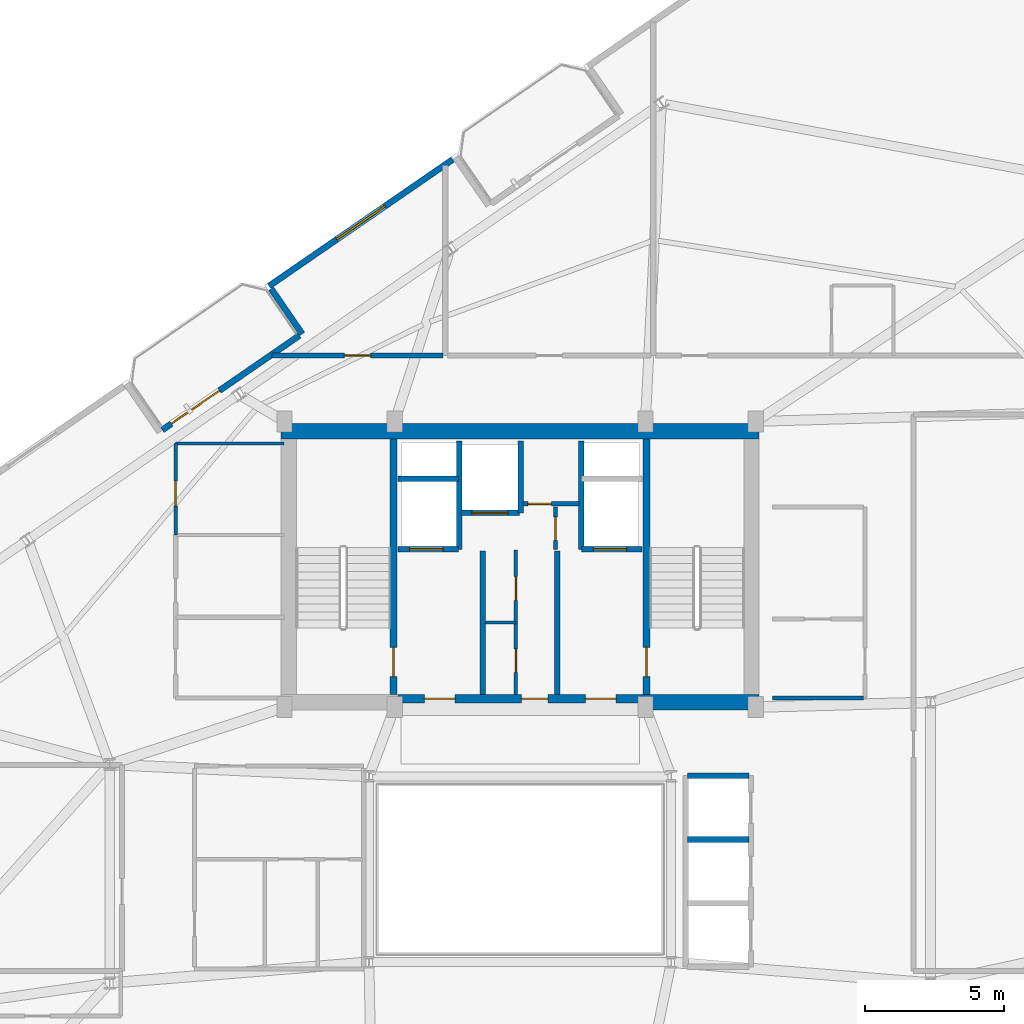
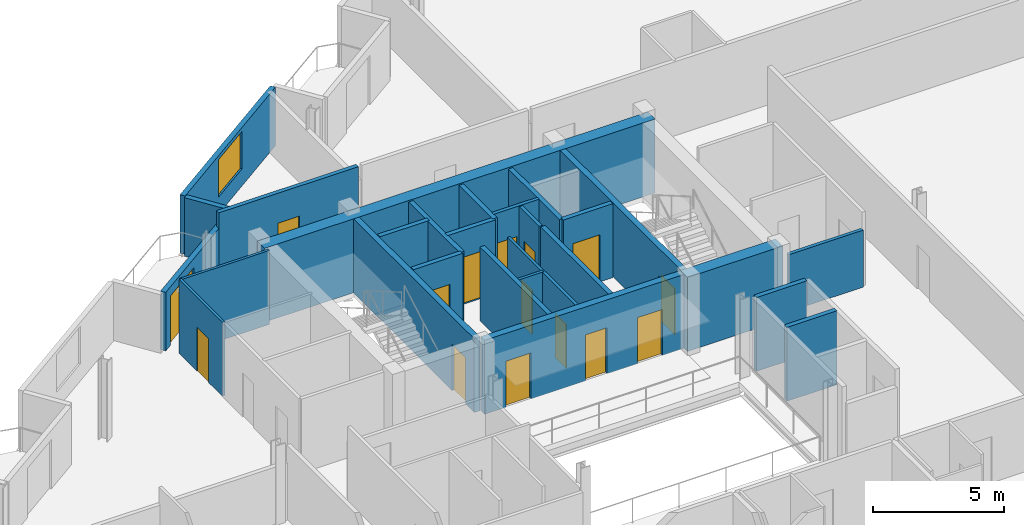
# One storey, part 18 of 23: 27 walls, 15 doors, 1 window, 16 openings.
"""IFC4 building model written with IfcOpenShell, lengths in metres."""

from ifc_helpers import new_model, si_unit, direction, frame, frame_2d, origin, place, context, subcontext, project, spatial, rectangle, extrude, material, layer, layer_set, type_object, element, fill, save


model = new_model("IFC4")

# Units and contexts
model_context = context("Model", 3, precision=1e-05, world=origin(), true_north=direction((0.0, 1.0)))
body_context = subcontext(model_context, "Body", "Model", "MODEL_VIEW")
ifc_project = project(units=[si_unit("LENGTHUNIT", "METRE"), si_unit("AREAUNIT", "SQUARE_METRE"), si_unit("VOLUMEUNIT", "CUBIC_METRE"), si_unit("PLANEANGLEUNIT", "RADIAN"), si_unit("MASSUNIT", "GRAM", prefix="KILO")], contexts=[model_context])

# Site, building, storey
site_placement = place(None, origin())
site = spatial("IfcSite", under=ifc_project, at=site_placement, CompositionType="ELEMENT")
building_placement = place(site_placement, origin())
building = spatial("IfcBuilding", under=site, at=building_placement, Name="Varnelok Gate Tower", CompositionType="ELEMENT")
storey_placement = place(building_placement, frame((0.0, 0.0, 258.199951171875)))
storey = spatial("IfcBuildingStorey", under=building, at=storey_placement, Name="L66", CompositionType="ELEMENT", Elevation=258.199951171875)

# Wall, opening, door
ifc_material_1 = material(Name="Concrete C45/55", Category="concrete")
ifc_layer_1 = layer(ifc_material_1, 0.219970703125)
ifc_layer_set_1 = layer_set([ifc_layer_1], Name="Concrete C45/55")
wall_type_1 = type_object("IfcWallType", Name="EW-BALC-220", PredefinedType="SOLIDWALL", material=ifc_layer_set_1)
wall_1_placement = place(storey_placement, frame((26.29736328125, 38.742919921875, 0.0), z_axis=(0.0, 0.0, 1.0), x_axis=(0.823534636215, 0.567265989598, 0.0)))
wall_1 = element("IfcWall", 1, at=wall_1_placement, inside=storey, type_object=wall_type_1, Name="L66 North Terrace Envelope Wall 5", PredefinedType="SOLIDWALL", context=body_context, shape_type="SweptSolid", body=[
    extrude(rectangle(XDim=6.0, YDim=0.219970703125, at=frame_2d((3.0, 0.0))), origin(), (0.0, 0.0, 1.0), 2.72998046875),
])
opening_1_placement = place(wall_1_placement, frame((0.39990234375, 0.0, 0.0)))
opening_1 = element("IfcOpeningElement", 2, at=opening_1_placement, cuts=wall_1, Name="Opening BD-2", PredefinedType="OPENING", context=body_context, shape_type="SweptSolid", body=[
    extrude(rectangle(XDim=2.10009765625, YDim=2.300048828125, at=frame_2d((1.050048828125, 1.14990234375))), frame((0.0, 0.119873046875, 0.0), z_axis=(0.0, -1.0, 0.0), x_axis=(1.0, 0.0, 0.0)), (0.0, 0.0, 1.0), 0.239990234375),
])
ifc_material_2 = material(Name="Anodized Aluminum Alloy 6063-T6", Category="aluminium")
door_type_1 = type_object("IfcDoorType", Name="DR-EXT-SLID2100", OperationType="SLIDING_TO_LEFT", PredefinedType="DOOR", material=ifc_material_2)
door_1_placement = place(opening_1_placement, origin())
door_1 = element("IfcDoor", 3, at=door_1_placement, inside=storey, type_object=door_type_1, Name="L66 North Balcony Glazed Door 5", OperationType="SLIDING_TO_LEFT", OverallHeight=2.300048828125, OverallWidth=2.10009765625, PredefinedType="DOOR", context=body_context, shape_type="SweptSolid", body=[
    extrude(rectangle(XDim=2.10009765625, YDim=2.300048828125, at=frame_2d((1.050048828125, 1.14990234375))), frame((0.0, 0.02490234375, 0.0), z_axis=(0.0, -1.0, 0.0), x_axis=(1.0, 0.0, 0.0)), (0.0, 0.0, 1.0), 0.050048828125),
])
fill(opening_1, door_1)

# Wall, opening, window
wall_2_placement = place(storey_placement, frame((36.768798828125, 48.493896484375, 0.0), z_axis=(0.0, 0.0, 1.0), x_axis=(-0.823521165086, -0.56728554596, 0.0)))
wall_2 = element("IfcWall", 4, at=wall_2_placement, inside=storey, type_object=wall_type_1, Name="L66 Perimeter Facade Closure Wall 32", PredefinedType="SOLIDWALL", context=body_context, shape_type="SweptSolid", body=[
    extrude(rectangle(XDim=8.034912109375, YDim=0.219970703125, at=frame_2d((4.017578125, 0.0))), origin(), (0.0, 0.0, 1.0), 2.72998046875),
])
opening_2_placement = place(wall_2_placement, frame((2.967529296875, 0.0, 0.800048828125)))
opening_2 = element("IfcOpeningElement", 5, at=opening_2_placement, cuts=wall_2, Name="Opening WN4", PredefinedType="OPENING", context=body_context, shape_type="SweptSolid", body=[
    extrude(rectangle(XDim=2.10009765625, YDim=1.75, at=frame_2d((1.050048828125, 0.875))), frame((0.0, 0.119873046875, 0.0), z_axis=(0.0, -1.0, 0.0), x_axis=(1.0, 0.0, 0.0)), (0.0, 0.0, 1.0), 0.239990234375),
])
ifc_material_3 = material(Name="Low-E Laminated Double Glazing IGU", Category="glass")
window_type = type_object("IfcWindowType", Name="WN-SUI-2100", PartitioningType="SINGLE_PANEL", PredefinedType="WINDOW", material=ifc_material_3)
window_placement = place(opening_2_placement, origin())
window = element("IfcWindow", 6, at=window_placement, inside=storey, type_object=window_type, Name="L66 Perimeter Vision Window 32", OverallHeight=1.75, OverallWidth=2.10009765625, PartitioningType="SINGLE_PANEL", PredefinedType="WINDOW", context=body_context, shape_type="SweptSolid", body=[
    extrude(rectangle(XDim=2.10009765625, YDim=1.75, at=frame_2d((1.050048828125, 0.875))), frame((0.0, 0.030029296875, 0.0), z_axis=(0.0, -1.0, 0.0), x_axis=(1.0, 0.0, 0.0)), (0.0, 0.0, 1.0), 0.06005859375),
])
fill(opening_2, window)

# Wall
wall_3_placement = place(storey_placement, frame((30.22265625, 43.8330078125, 0.0), z_axis=(0.0, 0.0, 1.0), x_axis=(0.567215821234, -0.823569190865, 0.0)))
element("IfcWall", 7, at=wall_3_placement, inside=storey, type_object=wall_type_1, Name="L66 Perimeter Facade Closure Wall 33", PredefinedType="SOLIDWALL", context=body_context, shape_type="SweptSolid", body=[
    extrude(rectangle(XDim=1.97509765625, YDim=0.219970703125, at=frame_2d((0.987548828125, 0.0))), origin(), (0.0, 0.0, 1.0), 2.72998046875),
])

# Wall, opening, door
ifc_material_4 = material(Name="Gypsum Plasterboard Acoustic Partition", Category="gypsum")
ifc_layer_2 = layer(ifc_material_4, 0.179931640625)
ifc_layer_set_2 = layer_set([ifc_layer_2], Name="Gypsum Plasterboard Acoustic Partition")
wall_type_2 = type_object("IfcWallType", Name="PW-CORR-180", PredefinedType="PARTITIONING", material=ifc_layer_set_2)
wall_4_placement = place(storey_placement, frame((30.251220703125, 41.429931640625, 0.0), z_axis=(0.0, 0.0, 1.0), x_axis=(1.0, 0.0, 0.0)))
wall_4 = element("IfcWall", 8, at=wall_4_placement, inside=storey, type_object=wall_type_2, Name="Interior Partition", PredefinedType="PARTITIONING", context=body_context, shape_type="SweptSolid", body=[
    extrude(rectangle(XDim=6.168701171875, YDim=0.179931640625, at=frame_2d((3.08447265625, 0.0))), origin(), (0.0, 0.0, 1.0), 3.449951171875),
])
opening_3_placement = place(wall_4_placement, frame((2.609375, 0.0, 0.0)))
opening_3 = element("IfcOpeningElement", 9, at=opening_3_placement, cuts=wall_4, Name="Opening D-I2", PredefinedType="OPENING", context=body_context, shape_type="SweptSolid", body=[
    extrude(rectangle(XDim=0.949951171875, YDim=2.050048828125, at=frame_2d((0.47509765625, 1.02490234375))), frame((0.0, 0.099853515625, 0.0), z_axis=(0.0, -1.0, 0.0), x_axis=(1.0, 0.0, 0.0)), (0.0, 0.0, 1.0), 0.199951171875),
])
ifc_material_5 = material(Name="Engineered Hardwood Timber", Category="wood")
door_type_2 = type_object("IfcDoorType", Name="DR-INT-950", OperationType="NOTDEFINED", PredefinedType="DOOR", material=ifc_material_5)
door_2_placement = place(opening_3_placement, origin())
door_2 = element("IfcDoor", 10, at=door_2_placement, inside=storey, type_object=door_type_2, Name="L66 Private Owners Horizon Club Door", OperationType="SINGLE_SWING_LEFT", OverallHeight=2.050048828125, OverallWidth=0.949951171875, PredefinedType="DOOR", context=body_context, shape_type="SweptSolid", body=[
    extrude(rectangle(XDim=0.949951171875, YDim=2.050048828125, at=frame_2d((0.47509765625, 1.02490234375))), frame((0.0, 0.02490234375, 0.0), z_axis=(0.0, -1.0, 0.0), x_axis=(1.0, 0.0, 0.0)), (0.0, 0.0, 1.0), 0.050048828125),
])
fill(opening_3, door_2)

# Wall
ifc_layer_3 = layer(ifc_material_4, 0.114990234375)
ifc_layer_set_3 = layer_set([ifc_layer_3], Name="Gypsum Plasterboard Acoustic Partition")
wall_type_3 = type_object("IfcWallType", Name="PW-ENS-125", PredefinedType="PARTITIONING", material=ifc_layer_set_3)
wall_5_placement = place(storey_placement, frame((26.780029296875, 38.260009765625, 0.0), z_axis=(0.0, 0.0, 1.0), x_axis=(1.0, 0.0, 0.0)))
element("IfcWall", 11, at=wall_5_placement, inside=storey, type_object=wall_type_3, Name="Interior Partition", PredefinedType="PARTITIONING", context=body_context, shape_type="SweptSolid", body=[
    extrude(rectangle(XDim=3.89990234375, YDim=0.114990234375, at=frame_2d((1.949951171875, 0.0))), origin(), (0.0, 0.0, 1.0), 3.449951171875),
])

# Wall, opening, door
wall_6_placement = place(storey_placement, frame((26.780029296875, 34.949951171875, 0.0), z_axis=(0.0, 0.0, 1.0), x_axis=(0.0, 1.0, 0.0)))
wall_6 = element("IfcWall", 12, at=wall_6_placement, inside=storey, type_object=wall_type_3, Name="Interior Partition", PredefinedType="PARTITIONING", context=body_context, shape_type="SweptSolid", body=[
    extrude(rectangle(XDim=3.31005859375, YDim=0.114990234375, at=frame_2d((1.655029296875, 0.0))), origin(), (0.0, 0.0, 1.0), 3.449951171875),
])
opening_4_placement = place(wall_6_placement, frame((1.050048828125, 0.0, 0.0)))
opening_4 = element("IfcOpeningElement", 13, at=opening_4_placement, cuts=wall_6, Name="Opening D-WC", PredefinedType="OPENING", context=body_context, shape_type="SweptSolid", body=[
    extrude(rectangle(XDim=0.89990234375, YDim=2.050048828125, at=frame_2d((0.449951171875, 1.02490234375))), frame((0.0, 0.0673828125, 0.0), z_axis=(0.0, -1.0, 0.0), x_axis=(1.0, 0.0, 0.0)), (0.0, 0.0, 1.0), 0.135009765625),
])
door_type_3 = type_object("IfcDoorType", Name="DR-BATH-900", OperationType="NOTDEFINED", PredefinedType="DOOR", material=ifc_material_5)
door_3_placement = place(opening_4_placement, origin())
door_3 = element("IfcDoor", 14, at=door_3_placement, inside=storey, type_object=door_type_3, Name="L66 Core Staff WC Door", OperationType="SINGLE_SWING_LEFT", OverallHeight=2.050048828125, OverallWidth=0.89990234375, PredefinedType="DOOR", context=body_context, shape_type="SweptSolid", body=[
    extrude(rectangle(XDim=0.89990234375, YDim=2.050048828125, at=frame_2d((0.449951171875, 1.02490234375))), frame((0.0, 0.02490234375, 0.0), z_axis=(0.0, -1.0, 0.0), x_axis=(1.0, 0.0, 0.0)), (0.0, 0.0, 1.0), 0.050048828125),
])
fill(opening_4, door_3)

# Wall
ifc_layer_4 = layer(ifc_material_4, 0.125)
ifc_layer_set_4 = layer_set([ifc_layer_4], Name="Gypsum Plasterboard Acoustic Partition")
wall_type_4 = type_object("IfcWallType", Name="PW-PART-125", PredefinedType="PARTITIONING", material=ifc_layer_set_4)
wall_7_placement = place(storey_placement, frame((37.9599609375, 31.800048828125, 0.0), z_axis=(0.0, 0.0, 1.0), x_axis=(1.0, 0.0, 0.0)))
element("IfcWall", 15, at=wall_7_placement, inside=storey, type_object=wall_type_4, Name="Interior Partition", PredefinedType="PARTITIONING", context=body_context, shape_type="SweptSolid", body=[
    extrude(rectangle(XDim=1.090087890625, YDim=0.125, at=frame_2d((0.544921875, 0.0))), origin(), (0.0, 0.0, 1.0), 3.449951171875),
])

# Wall, openings, doors
wall_8_placement = place(storey_placement, frame((39.050048828125, 29.199951171875, 0.0), z_axis=(0.0, 0.0, 1.0), x_axis=(0.0, 1.0, 0.0)))
wall_8 = element("IfcWall", 16, at=wall_8_placement, inside=storey, type_object=wall_type_4, Name="Interior Partition", PredefinedType="PARTITIONING", context=body_context, shape_type="SweptSolid", body=[
    extrude(rectangle(XDim=5.219970703125, YDim=0.125, at=frame_2d((2.60986328125, 0.0))), origin(), (0.0, 0.0, 1.0), 3.449951171875),
])
opening_5_placement = place(wall_8_placement, frame((0.800048828125, 0.0, 0.0)))
opening_5 = element("IfcOpeningElement", 17, at=opening_5_placement, cuts=wall_8, Name="Opening D-RS", PredefinedType="OPENING", context=body_context, shape_type="SweptSolid", body=[
    extrude(rectangle(XDim=0.85009765625, YDim=2.050048828125, at=frame_2d((0.425048828125, 1.02490234375))), frame((0.0, 0.072509765625, 0.0), z_axis=(0.0, -1.0, 0.0), x_axis=(1.0, 0.0, 0.0)), (0.0, 0.0, 1.0), 0.14501953125),
])
opening_6_placement = place(wall_8_placement, frame((3.39990234375, 0.0, 0.0)))
opening_6 = element("IfcOpeningElement", 18, at=opening_6_placement, cuts=wall_8, Name="Opening D-RS", PredefinedType="OPENING", context=body_context, shape_type="SweptSolid", body=[
    extrude(rectangle(XDim=0.85009765625, YDim=2.050048828125, at=frame_2d((0.425048828125, 1.02490234375))), frame((0.0, 0.072509765625, 0.0), z_axis=(0.0, -1.0, 0.0), x_axis=(1.0, 0.0, 0.0)), (0.0, 0.0, 1.0), 0.14501953125),
])
ifc_material_6 = material(Name="Galvanized Steel Grade S350GD", Category="steel")
door_type_4 = type_object("IfcDoorType", Name="DR-RISER-850", OperationType="NOTDEFINED", PredefinedType="DOOR", material=ifc_material_6)
door_4_placement = place(opening_5_placement, origin())
door_4 = element("IfcDoor", 19, at=door_4_placement, inside=storey, type_object=door_type_4, Name="L66 Housekeeping Linen Door", OperationType="SINGLE_SWING_LEFT", OverallHeight=2.050048828125, OverallWidth=0.85009765625, PredefinedType="DOOR", context=body_context, shape_type="SweptSolid", body=[
    extrude(rectangle(XDim=0.85009765625, YDim=2.050048828125, at=frame_2d((0.425048828125, 1.02490234375))), frame((0.0, 0.02490234375, 0.0), z_axis=(0.0, -1.0, 0.0), x_axis=(1.0, 0.0, 0.0)), (0.0, 0.0, 1.0), 0.050048828125),
])
fill(opening_5, door_4)
door_5_placement = place(opening_6_placement, origin())
door_5 = element("IfcDoor", 20, at=door_5_placement, inside=storey, type_object=door_type_4, Name="L66 Janitor Sink Door", OperationType="SINGLE_SWING_RIGHT", OverallHeight=2.050048828125, OverallWidth=0.85009765625, PredefinedType="DOOR", context=body_context, shape_type="SweptSolid", body=[
    extrude(rectangle(XDim=0.85009765625, YDim=2.050048828125, at=frame_2d((0.425048828125, 1.02490234375))), frame((0.0, 0.02490234375, 0.0), z_axis=(0.0, -1.0, 0.0), x_axis=(1.0, 0.0, 0.0)), (0.0, 0.0, 1.0), 0.050048828125),
])
fill(opening_6, door_5)

# Wall, opening, door
ifc_layer_5 = layer(ifc_material_4, 0.14990234375)
ifc_layer_set_5 = layer_set([ifc_layer_5], Name="Gypsum Plasterboard Acoustic Partition")
wall_type_5 = type_object("IfcWallType", Name="PW-PART-150", PredefinedType="PARTITIONING", material=ifc_layer_set_5)
wall_9_placement = place(storey_placement, frame((39.300048828125, 36.080078125, 0.0), z_axis=(0.0, 0.0, 1.0), x_axis=(1.0, 0.0, 0.0)))
wall_9 = element("IfcWall", 21, at=wall_9_placement, inside=storey, type_object=wall_type_5, Name="L66 Electrical Closet South Wall", PredefinedType="PARTITIONING", context=body_context, shape_type="SweptSolid", body=[
    extrude(rectangle(XDim=2.02001953125, YDim=0.14990234375, at=frame_2d((1.010009765625, 0.0))), origin(), (0.0, 0.0, 1.0), 3.449951171875),
])
opening_7_placement = place(wall_9_placement, frame((0.179931640625, 0.0, 0.0)))
opening_7 = element("IfcOpeningElement", 22, at=opening_7_placement, cuts=wall_9, Name="Opening D-RS", PredefinedType="OPENING", context=body_context, shape_type="SweptSolid", body=[
    extrude(rectangle(XDim=0.85009765625, YDim=2.050048828125, at=frame_2d((0.425048828125, 1.02490234375))), frame((0.0, 0.0849609375, 0.0), z_axis=(0.0, -1.0, 0.0), x_axis=(1.0, 0.0, 0.0)), (0.0, 0.0, 1.0), 0.169921875),
])
door_6_placement = place(opening_7_placement, origin())
door_6 = element("IfcDoor", 23, at=door_6_placement, inside=storey, type_object=door_type_4, Name="L66 Electrical Closet Door", OperationType="SINGLE_SWING_RIGHT", OverallHeight=2.050048828125, OverallWidth=0.85009765625, PredefinedType="DOOR", context=body_context, shape_type="SweptSolid", body=[
    extrude(rectangle(XDim=0.85009765625, YDim=2.050048828125, at=frame_2d((0.425048828125, 1.02490234375))), frame((0.0, 0.02490234375, 0.0), z_axis=(0.0, -1.0, 0.0), x_axis=(1.0, 0.0, 0.0)), (0.0, 0.0, 1.0), 0.050048828125),
])
fill(opening_7, door_6)

wall_10_placement = place(storey_placement, frame((40.47998046875, 34.43994140625, 0.0), z_axis=(0.0, 0.0, 1.0), x_axis=(0.0, 1.0, 0.0)))
wall_10 = element("IfcWall", 24, at=wall_10_placement, inside=storey, type_object=wall_type_5, Name="L66 Telecoms Closet West Wall", PredefinedType="PARTITIONING", context=body_context, shape_type="SweptSolid", body=[
    extrude(rectangle(XDim=1.52001953125, YDim=0.14990234375, at=frame_2d((0.760009765625, 0.0))), origin(), (0.0, 0.0, 1.0), 3.449951171875),
])
opening_8_placement = place(wall_10_placement, frame((0.320068359375, 0.0, 0.0)))
opening_8 = element("IfcOpeningElement", 25, at=opening_8_placement, cuts=wall_10, Name="Opening D-RS", PredefinedType="OPENING", context=body_context, shape_type="SweptSolid", body=[
    extrude(rectangle(XDim=0.85009765625, YDim=2.050048828125, at=frame_2d((0.425048828125, 1.02490234375))), frame((0.0, 0.0849609375, 0.0), z_axis=(0.0, -1.0, 0.0), x_axis=(1.0, 0.0, 0.0)), (0.0, 0.0, 1.0), 0.169921875),
])
door_7_placement = place(opening_8_placement, origin())
door_7 = element("IfcDoor", 26, at=door_7_placement, inside=storey, type_object=door_type_4, Name="L66 Telecoms Closet Door", OperationType="SINGLE_SWING_LEFT", OverallHeight=2.050048828125, OverallWidth=0.85009765625, PredefinedType="DOOR", context=body_context, shape_type="SweptSolid", body=[
    extrude(rectangle(XDim=0.85009765625, YDim=2.050048828125, at=frame_2d((0.425048828125, 1.02490234375))), frame((0.0, 0.02490234375, 0.0), z_axis=(0.0, -1.0, 0.0), x_axis=(1.0, 0.0, 0.0)), (0.0, 0.0, 1.0), 0.050048828125),
])
fill(opening_8, door_7)

# Walls
wall_11_placement = place(storey_placement, frame((48.300048828125, 29.080078125, 0.0), z_axis=(0.0, 0.0, 1.0), x_axis=(1.0, 0.0, 0.0)))
element("IfcWall", 27, at=wall_11_placement, inside=storey, type_object=wall_type_5, Name="Interior Partition", PredefinedType="PARTITIONING", context=body_context, shape_type="SweptSolid", body=[
    extrude(rectangle(XDim=3.280029296875, YDim=0.14990234375, at=frame_2d((1.64013671875, 0.0))), origin(), (0.0, 0.0, 1.0), 2.662109375),
])
ifc_material_7 = material(Name="Concrete C35/45", Category="concrete")
ifc_layer_6 = layer(ifc_material_7, 0.199951171875)
ifc_layer_set_6 = layer_set([ifc_layer_6], Name="Concrete C35/45")
wall_type_6 = type_object("IfcWallType", Name="PW-SHAFT-200", PredefinedType="PARTITIONING", material=ifc_layer_set_6)
for number, where, z_axis, x_axis, name in (
    (28, (37.860107421875, 29.199951171875, 0.0), (0.0, 0.0, 1.0), (0.0, 1.0, 0.0), "L66 West FF Lobby Rated Wall"),
    (29, (40.5400390625, 29.199951171875, 0.0), (0.0, 0.0, 1.0), (0.0, 1.0, 0.0), "L66 East FF Lobby Rated Wall"),
):
    element("IfcWall", number, at=place(storey_placement, frame(where, z_axis=z_axis, x_axis=x_axis)), inside=storey, type_object=wall_type_6, Name=name, PredefinedType="PARTITIONING", context=body_context, shape_type="SweptSolid", body=[
        extrude(rectangle(XDim=5.179931640625, YDim=0.199951171875, at=frame_2d((2.58984375, 0.0))), origin(), (0.0, 0.0, 1.0), 3.449951171875),
    ])

# Wall, opening, door
wall_12_placement = place(storey_placement, frame((34.800048828125, 34.43994140625, 0.0), z_axis=(0.0, 0.0, 1.0), x_axis=(1.0, 0.0, 0.0)))
wall_12 = element("IfcWall", 30, at=wall_12_placement, inside=storey, type_object=wall_type_6, Name="L66 FF1 Shaft Front Wall", PredefinedType="PARTITIONING", context=body_context, shape_type="SweptSolid", body=[
    extrude(rectangle(XDim=2.179931640625, YDim=0.199951171875, at=frame_2d((1.08984375, 0.0))), origin(), (0.0, 0.0, 1.0), 3.449951171875),
])
opening_9_placement = place(wall_12_placement, frame((0.419921875, 0.0, 0.0)))
opening_9 = element("IfcOpeningElement", 31, at=opening_9_placement, cuts=wall_12, Name="Opening LD-FF1", PredefinedType="OPENING", context=body_context, shape_type="SweptSolid", body=[
    extrude(rectangle(XDim=1.199951171875, YDim=2.199951171875, at=frame_2d((0.60009765625, 1.10009765625))), frame((0.0, 0.10986328125, 0.0), z_axis=(0.0, -1.0, 0.0), x_axis=(1.0, 0.0, 0.0)), (0.0, 0.0, 1.0), 0.219970703125),
])
door_type_5 = type_object("IfcDoorType", Name="DR-LIFT-FF1200", OperationType="SLIDING_TO_LEFT", PredefinedType="DOOR", material=ifc_material_6)
door_8_placement = place(opening_9_placement, origin())
door_8 = element("IfcDoor", 32, at=door_8_placement, inside=storey, type_object=door_type_5, Name="L66 Firefighting Lift Landing Door LD-FF1", OperationType="SLIDING_TO_LEFT", OverallHeight=2.199951171875, OverallWidth=1.199951171875, PredefinedType="DOOR", context=body_context, shape_type="SweptSolid", body=[
    extrude(rectangle(XDim=1.199951171875, YDim=2.199951171875, at=frame_2d((0.60009765625, 1.10009765625))), frame((0.0, 0.02490234375, 0.0), z_axis=(0.0, -1.0, 0.0), x_axis=(1.0, 0.0, 0.0)), (0.0, 0.0, 1.0), 0.050048828125),
])
fill(opening_9, door_8)

# Walls
wall_13_placement = place(storey_placement, frame((34.800048828125, 36.97998046875, 0.0), z_axis=(0.0, 0.0, 1.0), x_axis=(1.0, 0.0, 0.0)))
element("IfcWall", 33, at=wall_13_placement, inside=storey, type_object=wall_type_6, Name="L66 FF1 Shaft North Wall", PredefinedType="PARTITIONING", context=body_context, shape_type="SweptSolid", body=[
    extrude(rectangle(XDim=2.179931640625, YDim=0.199951171875, at=frame_2d((1.08984375, 0.0))), origin(), (0.0, 0.0, 1.0), 3.449951171875),
])
wall_14_placement = place(storey_placement, frame((37.0, 34.43994140625, 0.0), z_axis=(0.0, 0.0, 1.0), x_axis=(0.0, 1.0, 0.0)))
element("IfcWall", 34, at=wall_14_placement, inside=storey, type_object=wall_type_6, Name="L66 FF1 Shaft Side Wall", PredefinedType="PARTITIONING", context=body_context, shape_type="SweptSolid", body=[
    extrude(rectangle(XDim=3.900146484375, YDim=0.199951171875, at=frame_2d((1.9501953125, 0.0))), origin(), (0.0, 0.0, 1.0), 3.449951171875),
])

# Wall, opening, door
wall_15_placement = place(storey_placement, frame((41.419921875, 34.43994140625, 0.0), z_axis=(0.0, 0.0, 1.0), x_axis=(1.0, 0.0, 0.0)))
wall_15 = element("IfcWall", 35, at=wall_15_placement, inside=storey, type_object=wall_type_6, Name="L66 FF2 Shaft Front Wall", PredefinedType="PARTITIONING", context=body_context, shape_type="SweptSolid", body=[
    extrude(rectangle(XDim=2.18017578125, YDim=0.199951171875, at=frame_2d((1.090087890625, 0.0))), origin(), (0.0, 0.0, 1.0), 3.449951171875),
])
opening_10_placement = place(wall_15_placement, frame((0.419921875, 0.0, 0.0)))
opening_10 = element("IfcOpeningElement", 36, at=opening_10_placement, cuts=wall_15, Name="Opening LD-FF2", PredefinedType="OPENING", context=body_context, shape_type="SweptSolid", body=[
    extrude(rectangle(XDim=1.199951171875, YDim=2.199951171875, at=frame_2d((0.60009765625, 1.10009765625))), frame((0.0, 0.10986328125, 0.0), z_axis=(0.0, -1.0, 0.0), x_axis=(1.0, 0.0, 0.0)), (0.0, 0.0, 1.0), 0.219970703125),
])
door_9_placement = place(opening_10_placement, origin())
door_9 = element("IfcDoor", 37, at=door_9_placement, inside=storey, type_object=door_type_5, Name="L66 Firefighting Lift Landing Door LD-FF2", OperationType="SLIDING_TO_LEFT", OverallHeight=2.199951171875, OverallWidth=1.199951171875, PredefinedType="DOOR", context=body_context, shape_type="SweptSolid", body=[
    extrude(rectangle(XDim=1.199951171875, YDim=2.199951171875, at=frame_2d((0.60009765625, 1.10009765625))), frame((0.0, 0.02490234375, 0.0), z_axis=(0.0, -1.0, 0.0), x_axis=(1.0, 0.0, 0.0)), (0.0, 0.0, 1.0), 0.050048828125),
])
fill(opening_10, door_9)

# Wall
wall_16_placement = place(storey_placement, frame((41.39990234375, 34.43994140625, 0.0), z_axis=(0.0, 0.0, 1.0), x_axis=(0.0, 1.0, 0.0)))
element("IfcWall", 38, at=wall_16_placement, inside=storey, type_object=wall_type_6, Name="L66 FF2 Shaft Side Wall", PredefinedType="PARTITIONING", context=body_context, shape_type="SweptSolid", body=[
    extrude(rectangle(XDim=3.900146484375, YDim=0.199951171875, at=frame_2d((1.9501953125, 0.0))), origin(), (0.0, 0.0, 1.0), 3.449951171875),
])

# Wall, opening, door
wall_17_placement = place(storey_placement, frame((37.06005859375, 35.75, 0.0), z_axis=(0.0, 0.0, 1.0), x_axis=(1.0, 0.0, 0.0)))
wall_17 = element("IfcWall", 39, at=wall_17_placement, inside=storey, type_object=wall_type_6, Name="L66 SV1 Shaft Front Wall", PredefinedType="PARTITIONING", context=body_context, shape_type="SweptSolid", body=[
    extrude(rectangle(XDim=2.119873046875, YDim=0.199951171875, at=frame_2d((1.06005859375, 0.0))), origin(), (0.0, 0.0, 1.0), 3.449951171875),
])
opening_11_placement = place(wall_17_placement, frame((0.39990234375, 0.0, 0.0)))
opening_11 = element("IfcOpeningElement", 40, at=opening_11_placement, cuts=wall_17, Name="Opening LD-SV1", PredefinedType="OPENING", context=body_context, shape_type="SweptSolid", body=[
    extrude(rectangle(XDim=1.300048828125, YDim=2.199951171875, at=frame_2d((0.64990234375, 1.10009765625))), frame((0.0, 0.10986328125, 0.0), z_axis=(0.0, -1.0, 0.0), x_axis=(1.0, 0.0, 0.0)), (0.0, 0.0, 1.0), 0.219970703125),
])
door_type_6 = type_object("IfcDoorType", Name="DR-LIFT-SV1300", OperationType="SLIDING_TO_LEFT", PredefinedType="DOOR", material=ifc_material_6)
door_10_placement = place(opening_11_placement, origin())
door_10 = element("IfcDoor", 41, at=door_10_placement, inside=storey, type_object=door_type_6, Name="L66 Service Lift Landing Door LD-SV1", OperationType="SLIDING_TO_LEFT", OverallHeight=2.199951171875, OverallWidth=1.300048828125, PredefinedType="DOOR", context=body_context, shape_type="SweptSolid", body=[
    extrude(rectangle(XDim=1.300048828125, YDim=2.199951171875, at=frame_2d((0.64990234375, 1.10009765625))), frame((0.0, 0.02490234375, 0.0), z_axis=(0.0, -1.0, 0.0), x_axis=(1.0, 0.0, 0.0)), (0.0, 0.0, 1.0), 0.050048828125),
])
fill(opening_11, door_10)

# Walls
wall_18_placement = place(storey_placement, frame((39.219970703125, 35.75, 0.0), z_axis=(0.0, 0.0, 1.0), x_axis=(0.0, 1.0, 0.0)))
element("IfcWall", 42, at=wall_18_placement, inside=storey, type_object=wall_type_6, Name="L66 SV1 Shaft East Wall", PredefinedType="PARTITIONING", context=body_context, shape_type="SweptSolid", body=[
    extrude(rectangle(XDim=2.590087890625, YDim=0.199951171875, at=frame_2d((1.294921875, 0.0))), origin(), (0.0, 0.0, 1.0), 3.449951171875),
])
for number, where, z_axis, x_axis, name in (
    (43, (45.239990234375, 23.97509765625, 0.0), (0.0, 0.0, 1.0), (1.0, 0.0, 0.0), "L66 PH2 Divider"),
    (44, (45.239990234375, 26.280029296875, 0.0), (0.0, 0.0, 1.0), (1.0, 0.0, 0.0), "L66 PH Bank North Wall"),
):
    element("IfcWall", number, at=place(storey_placement, frame(where, z_axis=z_axis, x_axis=x_axis)), inside=storey, type_object=wall_type_6, Name=name, PredefinedType="PARTITIONING", context=body_context, shape_type="SweptSolid", body=[
        extrude(rectangle(XDim=2.219970703125, YDim=0.199951171875, at=frame_2d((1.10986328125, 0.0))), origin(), (0.0, 0.0, 1.0), 3.449951171875),
    ])
ifc_material_8 = material(Name="Concrete C60/75", Category="concrete")
ifc_layer_7 = layer(ifc_material_8, 0.550048828125)
ifc_layer_set_7 = layer_set([ifc_layer_7], Name="Concrete C60/75")
wall_type_7 = type_object("IfcWallType", Name="SW-CORE-550", PredefinedType="SHEAR", material=ifc_layer_set_7)
wall_19_placement = place(storey_placement, frame((30.580078125, 38.695068359375, 0.0), z_axis=(0.0, 0.0, 1.0), x_axis=(1.0, 0.0, 0.0)))
element("IfcWall", 45, at=wall_19_placement, inside=storey, type_object=wall_type_7, Name="L66 Rear Core North Shear Wall", PredefinedType="SHEAR", context=body_context, shape_type="SweptSolid", body=[
    extrude(rectangle(XDim=17.239990234375, YDim=0.550048828125, at=frame_2d((8.6201171875, 0.0))), origin(), (0.0, 0.0, 1.0), 3.449951171875),
])
wall_20_placement = place(storey_placement, frame((43.60009765625, 28.925048828125, 0.0), z_axis=(0.0, 0.0, 1.0), x_axis=(1.0, 0.0, 0.0)))
element("IfcWall", 46, at=wall_20_placement, inside=storey, type_object=wall_type_7, Name="L66 Rear Core South-East Shear Wall", PredefinedType="SHEAR", context=body_context, shape_type="SweptSolid", body=[
    extrude(rectangle(XDim=4.219970703125, YDim=0.550048828125, at=frame_2d((2.10986328125, 0.0))), origin(), (0.0, 0.0, 1.0), 3.449951171875),
])

# Wall, opening, door
ifc_layer_8 = layer(ifc_material_8, 0.25)
ifc_layer_set_8 = layer_set([ifc_layer_8], Name="Concrete C60/75")
wall_type_8 = type_object("IfcWallType", Name="SW-SHAFT-250", PredefinedType="SHEAR", material=ifc_layer_set_8)
wall_21_placement = place(storey_placement, frame((34.639892578125, 29.199951171875, 0.0), z_axis=(0.0, 0.0, 1.0), x_axis=(0.0, 1.0, 0.0)))
wall_21 = element("IfcWall", 47, at=wall_21_placement, inside=storey, type_object=wall_type_8, Name="L66 Stair ST-1 East Shear Wall", PredefinedType="SHEAR", context=body_context, shape_type="SweptSolid", body=[
    extrude(rectangle(XDim=9.219970703125, YDim=0.25, at=frame_2d((4.60986328125, 0.0))), origin(), (0.0, 0.0, 1.0), 3.449951171875),
])
opening_12_placement = place(wall_21_placement, frame((0.64990234375, 0.0, 0.0)))
opening_12 = element("IfcOpeningElement", 48, at=opening_12_placement, cuts=wall_21, Name="Opening D-ST", PredefinedType="OPENING", context=body_context, shape_type="SweptSolid", body=[
    extrude(rectangle(XDim=1.050048828125, YDim=2.14990234375, at=frame_2d((0.52490234375, 1.074951171875))), frame((0.0, 0.135009765625, 0.0), z_axis=(0.0, -1.0, 0.0), x_axis=(1.0, 0.0, 0.0)), (0.0, 0.0, 1.0), 0.27001953125),
])
door_type_7 = type_object("IfcDoorType", Name="DR-STAIR-1050", OperationType="NOTDEFINED", PredefinedType="DOOR", material=ifc_material_6)
door_11_placement = place(opening_12_placement, origin())
door_11 = element("IfcDoor", 49, at=door_11_placement, inside=storey, type_object=door_type_7, Name="L66 Exit Stair ST-1 Fire Door", OperationType="SINGLE_SWING_LEFT", OverallHeight=2.14990234375, OverallWidth=1.050048828125, PredefinedType="DOOR", context=body_context, shape_type="SweptSolid", body=[
    extrude(rectangle(XDim=1.050048828125, YDim=2.14990234375, at=frame_2d((0.52490234375, 1.074951171875))), frame((0.0, 0.02490234375, 0.0), z_axis=(0.0, -1.0, 0.0), x_axis=(1.0, 0.0, 0.0)), (0.0, 0.0, 1.0), 0.050048828125),
])
fill(opening_12, door_11)

wall_22_placement = place(storey_placement, frame((43.760009765625, 29.199951171875, 0.0), z_axis=(0.0, 0.0, 1.0), x_axis=(0.0, 1.0, 0.0)))
wall_22 = element("IfcWall", 50, at=wall_22_placement, inside=storey, type_object=wall_type_8, Name="L66 Stair ST-2 West Shear Wall", PredefinedType="SHEAR", context=body_context, shape_type="SweptSolid", body=[
    extrude(rectangle(XDim=9.219970703125, YDim=0.25, at=frame_2d((4.60986328125, 0.0))), origin(), (0.0, 0.0, 1.0), 3.449951171875),
])
opening_13_placement = place(wall_22_placement, frame((0.64990234375, 0.0, 0.0)))
opening_13 = element("IfcOpeningElement", 51, at=opening_13_placement, cuts=wall_22, Name="Opening D-ST", PredefinedType="OPENING", context=body_context, shape_type="SweptSolid", body=[
    extrude(rectangle(XDim=1.050048828125, YDim=2.14990234375, at=frame_2d((0.52490234375, 1.074951171875))), frame((0.0, 0.135009765625, 0.0), z_axis=(0.0, -1.0, 0.0), x_axis=(1.0, 0.0, 0.0)), (0.0, 0.0, 1.0), 0.27001953125),
])
door_12_placement = place(opening_13_placement, origin())
door_12 = element("IfcDoor", 52, at=door_12_placement, inside=storey, type_object=door_type_7, Name="L66 Exit Stair ST-2 Fire Door", OperationType="SINGLE_SWING_RIGHT", OverallHeight=2.14990234375, OverallWidth=1.050048828125, PredefinedType="DOOR", context=body_context, shape_type="SweptSolid", body=[
    extrude(rectangle(XDim=1.050048828125, YDim=2.14990234375, at=frame_2d((0.52490234375, 1.074951171875))), frame((0.0, 0.02490234375, 0.0), z_axis=(0.0, -1.0, 0.0), x_axis=(1.0, 0.0, 0.0)), (0.0, 0.0, 1.0), 0.050048828125),
])
fill(opening_13, door_12)

# Wall, openings, doors
ifc_layer_9 = layer(ifc_material_8, 0.300048828125)
ifc_layer_set_9 = layer_set([ifc_layer_9], Name="Concrete C60/75")
wall_type_9 = type_object("IfcWallType", Name="SW-SHAFT-300", PredefinedType="SHEAR", material=ifc_layer_set_9)
wall_23_placement = place(storey_placement, frame((34.800048828125, 29.050048828125, 0.0), z_axis=(0.0, 0.0, 1.0), x_axis=(1.0, 0.0, 0.0)))
wall_23 = element("IfcWall", 53, at=wall_23_placement, inside=storey, type_object=wall_type_9, Name="L66 Rear Core Central Lobby Shear Wall", PredefinedType="SHEAR", context=body_context, shape_type="SweptSolid", body=[
    extrude(rectangle(XDim=8.800048828125, YDim=0.300048828125, at=frame_2d((4.39990234375, 0.0))), origin(), (0.0, 0.0, 1.0), 3.449951171875),
])
opening_14_placement = place(wall_23_placement, frame((0.949951171875, 0.0, 0.0)))
opening_14 = element("IfcOpeningElement", 54, at=opening_14_placement, cuts=wall_23, Name="Opening D-FF", PredefinedType="OPENING", context=body_context, shape_type="SweptSolid", body=[
    extrude(rectangle(XDim=1.10009765625, YDim=2.14990234375, at=frame_2d((0.550048828125, 1.074951171875))), frame((0.0, 0.159912109375, 0.0), z_axis=(0.0, -1.0, 0.0), x_axis=(1.0, 0.0, 0.0)), (0.0, 0.0, 1.0), 0.320068359375),
])
opening_15_placement = place(wall_23_placement, frame((6.75, 0.0, 0.0)))
opening_15 = element("IfcOpeningElement", 55, at=opening_15_placement, cuts=wall_23, Name="Opening D-FF", PredefinedType="OPENING", context=body_context, shape_type="SweptSolid", body=[
    extrude(rectangle(XDim=1.10009765625, YDim=2.14990234375, at=frame_2d((0.550048828125, 1.074951171875))), frame((0.0, 0.159912109375, 0.0), z_axis=(0.0, -1.0, 0.0), x_axis=(1.0, 0.0, 0.0)), (0.0, 0.0, 1.0), 0.320068359375),
])
opening_16_placement = place(wall_23_placement, frame((4.449951171875, 0.0, 0.0)))
opening_16 = element("IfcOpeningElement", 56, at=opening_16_placement, cuts=wall_23, Name="Opening D-CR", PredefinedType="OPENING", context=body_context, shape_type="SweptSolid", body=[
    extrude(rectangle(XDim=0.949951171875, YDim=2.14990234375, at=frame_2d((0.47509765625, 1.074951171875))), frame((0.0, 0.159912109375, 0.0), z_axis=(0.0, -1.0, 0.0), x_axis=(1.0, 0.0, 0.0)), (0.0, 0.0, 1.0), 0.320068359375),
])
door_type_8 = type_object("IfcDoorType", Name="DR-CORR-950", OperationType="NOTDEFINED", PredefinedType="DOOR", material=ifc_material_6)
door_13_placement = place(opening_16_placement, origin())
door_13 = element("IfcDoor", 57, at=door_13_placement, inside=storey, type_object=door_type_8, Name="L66 Core Service Passage Door", OperationType="SINGLE_SWING_LEFT", OverallHeight=2.14990234375, OverallWidth=0.949951171875, PredefinedType="DOOR", context=body_context, shape_type="SweptSolid", body=[
    extrude(rectangle(XDim=0.949951171875, YDim=2.14990234375, at=frame_2d((0.47509765625, 1.074951171875))), frame((0.0, 0.02490234375, 0.0), z_axis=(0.0, -1.0, 0.0), x_axis=(1.0, 0.0, 0.0)), (0.0, 0.0, 1.0), 0.050048828125),
])
fill(opening_16, door_13)
door_type_9 = type_object("IfcDoorType", Name="DR-FFLOB-1100", OperationType="NOTDEFINED", PredefinedType="DOOR", material=ifc_material_6)
door_14_placement = place(opening_14_placement, origin())
door_14 = element("IfcDoor", 58, at=door_14_placement, inside=storey, type_object=door_type_9, Name="L66 West Firefighting Lobby Fire Door", OperationType="SINGLE_SWING_RIGHT", OverallHeight=2.14990234375, OverallWidth=1.10009765625, PredefinedType="DOOR", context=body_context, shape_type="SweptSolid", body=[
    extrude(rectangle(XDim=1.10009765625, YDim=2.14990234375, at=frame_2d((0.550048828125, 1.074951171875))), frame((0.0, 0.02490234375, 0.0), z_axis=(0.0, -1.0, 0.0), x_axis=(1.0, 0.0, 0.0)), (0.0, 0.0, 1.0), 0.050048828125),
])
fill(opening_14, door_14)
door_15_placement = place(opening_15_placement, origin())
door_15 = element("IfcDoor", 59, at=door_15_placement, inside=storey, type_object=door_type_9, Name="L66 East Firefighting Lobby Fire Door", OperationType="SINGLE_SWING_LEFT", OverallHeight=2.14990234375, OverallWidth=1.10009765625, PredefinedType="DOOR", context=body_context, shape_type="SweptSolid", body=[
    extrude(rectangle(XDim=1.10009765625, YDim=2.14990234375, at=frame_2d((0.550048828125, 1.074951171875))), frame((0.0, 0.02490234375, 0.0), z_axis=(0.0, -1.0, 0.0), x_axis=(1.0, 0.0, 0.0)), (0.0, 0.0, 1.0), 0.050048828125),
])
fill(opening_15, door_15)

save(model, "model.ifc")
